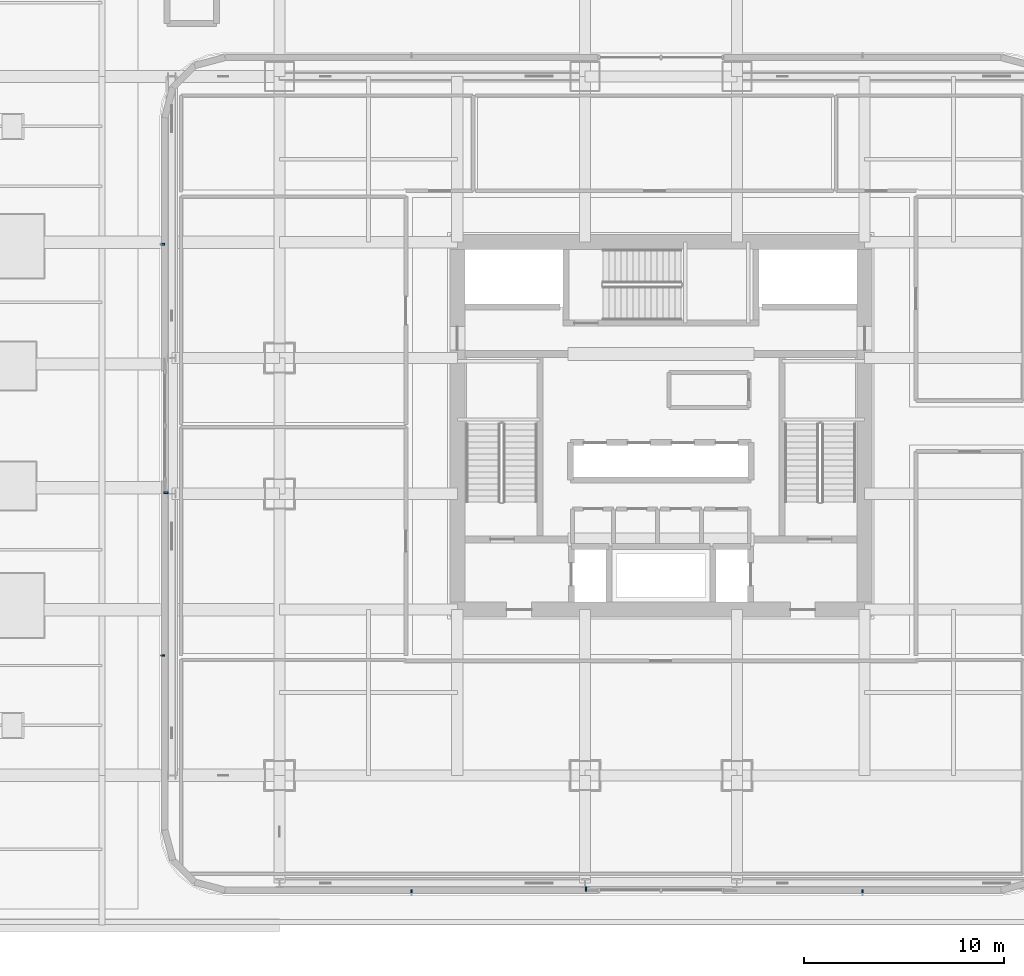
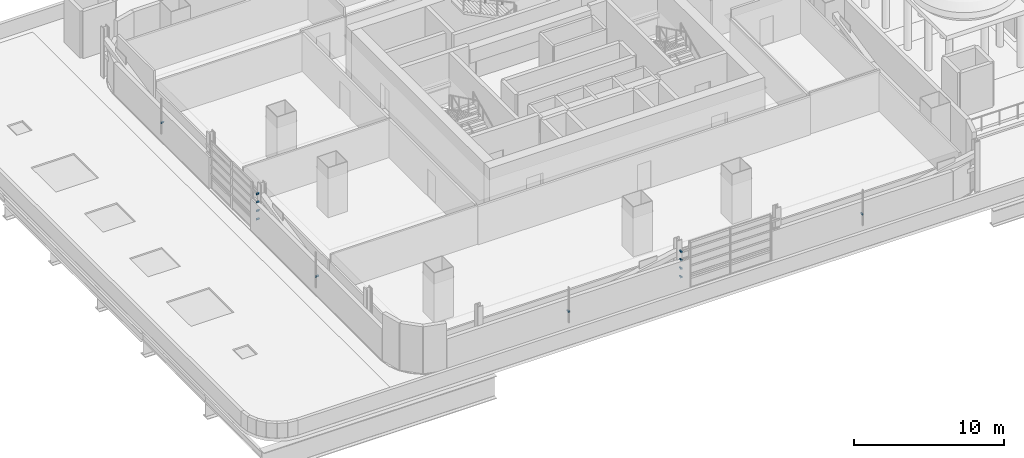
# One storey, part 18 of 30: 12 discrete accessories.
"""IFC4 building model written with IfcOpenShell, lengths in metres."""

from ifc_helpers import new_model, si_unit, direction, frame, origin, origin_2d, place, context, subcontext, project, spatial, rectangle, extrude, material, type_object, element, save


model = new_model("IFC4")

# Units and contexts
model_context = context("Model", 3, precision=1e-05, world=origin(), true_north=direction((0.0, 1.0)))
body_context = subcontext(model_context, "Body", "Model", "MODEL_VIEW")
ifc_project = project(units=[si_unit("LENGTHUNIT", "METRE"), si_unit("AREAUNIT", "SQUARE_METRE"), si_unit("VOLUMEUNIT", "CUBIC_METRE"), si_unit("PLANEANGLEUNIT", "RADIAN"), si_unit("MASSUNIT", "GRAM", prefix="KILO")], contexts=[model_context])

# Site, building, storey
site_placement = place(None, origin())
site = spatial("IfcSite", under=ifc_project, at=site_placement, CompositionType="ELEMENT")
building_placement = place(site_placement, origin())
building = spatial("IfcBuilding", under=site, at=building_placement, Name="Punatoya Terracotta Tower", CompositionType="ELEMENT")
storey_placement = place(building_placement, frame((0.0, 0.0, 28.199951171875)))
storey = spatial("IfcBuildingStorey", under=building, at=storey_placement, Name="L05", CompositionType="ELEMENT", Elevation=28.199951171875)

# Discrete accessories
ifc_material = material(Name="Steel S355", Category="steel")
discrete_accessory_type = type_object("IfcDiscreteAccessoryType", Name="ACC-BRK-220", PredefinedType="BRACKET", material=ifc_material)
for number, where, z_axis, x_axis, name in (
    (1, (-12.493408203125, -23.35009765625, 1.449951171875), (0.0, 0.0, 1.0), (1.0, 0.0, 0.0), "L05 Jali Fin Support Bracket S1"),
    (2, (10.093505859375, -23.35009765625, 1.449951171875), (0.0, 0.0, 1.0), (1.0, 0.0, 0.0), "L05 Jali Fin Support Bracket S2"),
    (3, (-24.949951171875, 9.093505859375, 1.449951171875), (0.0, 0.0, 1.0), (0.0, -1.0, 0.0), "L05 Jali Fin Support Bracket W1"),
    (4, (-24.949951171875, -11.493408203125, 1.449951171875), (0.0, 0.0, 1.0), (0.0, -1.0, 0.0), "L05 Jali Fin Support Bracket W2"),
    (5, (-3.75, -23.193115234375, 1.10009765625), (0.0, 0.0, 1.0), (1.0, 0.0, 0.0), "L05 Baguette Louvre Column Bracket BAG-L05-S-01"),
    (6, (-3.75, -23.193115234375, 1.78662109375), (0.0, 0.0, 1.0), (1.0, 0.0, 0.0), "L05 Baguette Louvre Column Bracket BAG-L05-S-02"),
    (7, (-3.75, -23.193115234375, 2.473388671875), (0.0, 0.0, 1.0), (1.0, 0.0, 0.0), "L05 Baguette Louvre Column Bracket BAG-L05-S-03"),
    (8, (-3.75, -23.193115234375, 3.159912109375), (0.0, 0.0, 1.0), (1.0, 0.0, 0.0), "L05 Baguette Louvre Column Bracket BAG-L05-S-04"),
    (9, (-24.79296875, -3.35009765625, 1.10009765625), (0.0, 0.0, 1.0), (0.0, 1.0, 0.0), "L05 Baguette Louvre Column Bracket BAG-L05-W-01"),
    (10, (-24.79296875, -3.35009765625, 1.78662109375), (0.0, 0.0, 1.0), (0.0, 1.0, 0.0), "L05 Baguette Louvre Column Bracket BAG-L05-W-02"),
    (11, (-24.79296875, -3.35009765625, 2.473388671875), (0.0, 0.0, 1.0), (0.0, 1.0, 0.0), "L05 Baguette Louvre Column Bracket BAG-L05-W-03"),
    (12, (-24.79296875, -3.35009765625, 3.159912109375), (0.0, 0.0, 1.0), (0.0, 1.0, 0.0), "L05 Baguette Louvre Column Bracket BAG-L05-W-04"),
):
    element("IfcDiscreteAccessory", number, at=place(storey_placement, frame(where, z_axis=z_axis, x_axis=x_axis)), inside=storey, type_object=discrete_accessory_type, Name=name, PredefinedType="BRACKET", context=body_context, shape_type="SweptSolid", body=[
        extrude(rectangle(XDim=0.090087890625, YDim=0.219970703125, at=origin_2d()), origin(), (0.0, 0.0, 1.0), 0.10009765625),
    ])

save(model, "model.ifc")
